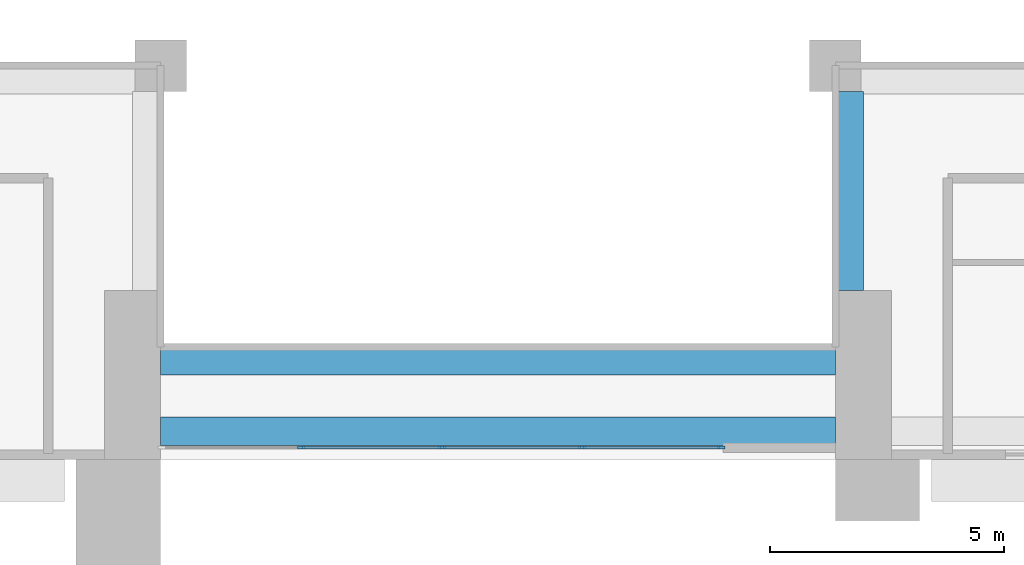
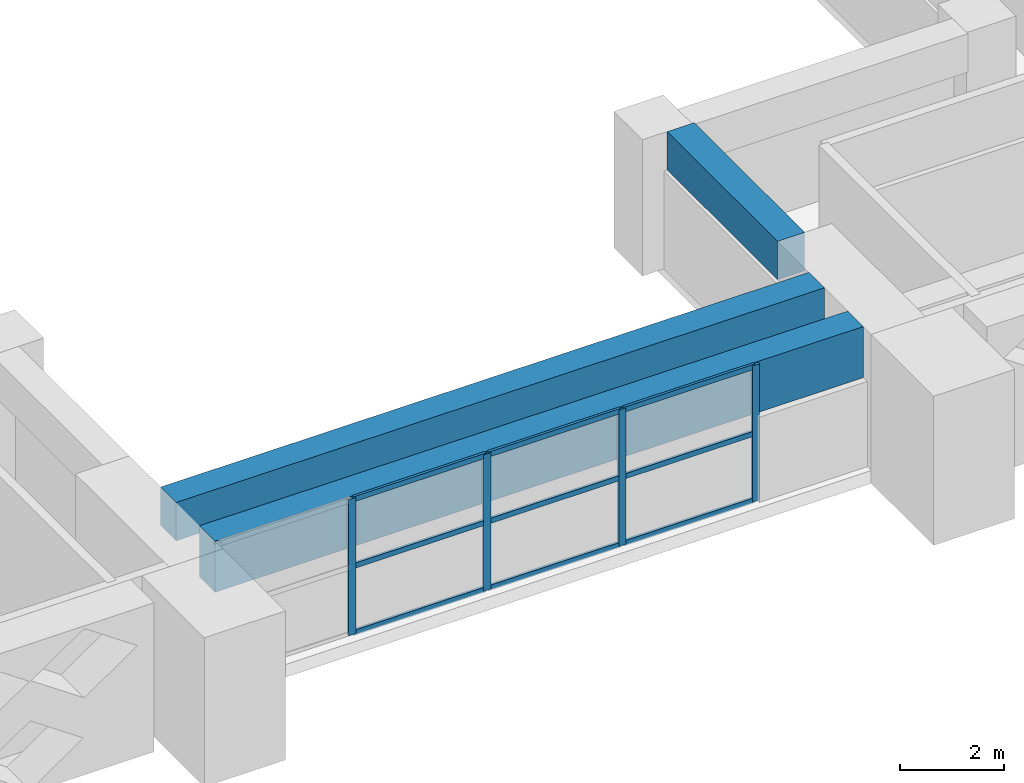
# One storey, part 4 of 20: 13 members, 3 beams, 1 element without a shape of its own.
"""IFC4 building model written with IfcOpenShell, lengths in metres."""

from ifc_helpers import new_model, si_unit, direction, frame, origin, origin_2d, place, context, subcontext, project, spatial, rectangle, extrude, source, transform, mapped, material, layer, layer_set, material_profile, profile_set, type_object, element, aggregate, save


model = new_model("IFC4")

# Units and contexts
model_context = context("Model", 3, precision=1e-05, world=origin(), true_north=direction((0.0, 1.0)))
body_context = subcontext(model_context, "Body", "Model", "MODEL_VIEW")
ifc_project = project(units=[si_unit("LENGTHUNIT", "METRE"), si_unit("AREAUNIT", "SQUARE_METRE"), si_unit("VOLUMEUNIT", "CUBIC_METRE"), si_unit("PLANEANGLEUNIT", "RADIAN"), si_unit("MASSUNIT", "GRAM", prefix="KILO")], contexts=[model_context])

# Site, building, storey
site_placement = place(None, origin())
site = spatial("IfcSite", under=ifc_project, at=site_placement, CompositionType="ELEMENT")
building_placement = place(site_placement, origin())
building = spatial("IfcBuilding", under=site, at=building_placement, Name="Saffron Iwan Residences", CompositionType="ELEMENT")
storey_placement = place(building_placement, frame((0.0, 0.0, 123.5)))
storey = spatial("IfcBuildingStorey", under=building, at=storey_placement, Name="L32", CompositionType="ELEMENT", Elevation=123.5)

# Beams
ifc_material_1 = material(Name="Concrete C50/60", Category="concrete")
ifc_material_profile_1 = material_profile(ifc_material_1, rectangle(XDim=0.60009765625, YDim=1.199951171875, at=origin_2d()), Name="RC 600x1200")
ifc_profile_set_1 = profile_set([ifc_material_profile_1], Name="Concrete C50/60")
beam_type_1 = type_object("IfcBeamType", Name="LINTEL BEAM RC 600x1200 C50/60 TOP 3200", PredefinedType="LINTEL", material=ifc_profile_set_1)
shared_shape_1 = source(origin(), body_context, "Body", "SweptSolid", [
    extrude(rectangle(XDim=0.60009765625, YDim=1.199951171875, at=origin_2d()), origin(), (0.0, 0.0, 1.0), 14.400146484375),
])
beam_1_placement = place(storey_placement, frame((57.60009765625, 40.199951171875, 2.60009765625), z_axis=(-1.0, 0.0, 0.0), x_axis=(0.0, -1.0, 0.0)))
element("IfcBeam", 1, at=beam_1_placement, inside=storey, type_object=beam_type_1, Name="Lintel beam over the iwan", PredefinedType="LINTEL", context=body_context, shape_type="MappedRepresentation", body=[
    mapped(shared_shape_1, transform((0.0, 0.0, 0.0))),
])
ifc_material_profile_2 = material_profile(ifc_material_1, rectangle(XDim=0.60009765625, YDim=0.89990234375, at=origin_2d()), Name="RC 600x900")
ifc_profile_set_2 = profile_set([ifc_material_profile_2], Name="Concrete C50/60")
beam_type_2 = type_object("IfcBeamType", Name="BEAM RC 600x900 C50/60 TOP 3200", PredefinedType="BEAM", material=ifc_profile_set_2)
shared_shape_2 = source(origin(), body_context, "Body", "SweptSolid", [
    extrude(rectangle(XDim=0.60009765625, YDim=0.89990234375, at=origin_2d()), origin(), (0.0, 0.0, 1.0), 14.400146484375),
])
beam_2_placement = place(storey_placement, frame((57.60009765625, 41.699951171875, 2.75), z_axis=(-1.0, 0.0, 0.0), x_axis=(0.0, -1.0, 0.0)))
element("IfcBeam", 2, at=beam_2_placement, inside=storey, type_object=beam_type_2, Name="Atrium edge beam", PredefinedType="BEAM", context=body_context, shape_type="MappedRepresentation", body=[
    mapped(shared_shape_2, transform((0.0, 0.0, 0.0))),
])
shared_shape_3 = source(origin(), body_context, "Body", "SweptSolid", [
    extrude(rectangle(XDim=0.60009765625, YDim=0.89990234375, at=origin_2d()), origin(), (0.0, 0.0, 1.0), 4.25),
])
beam_3_placement = place(storey_placement, frame((57.89990234375, 47.449951171875, 2.75), z_axis=(0.0, -1.0, 0.0), x_axis=(1.0, 0.0, 0.0)))
element("IfcBeam", 3, at=beam_3_placement, inside=storey, type_object=beam_type_2, Name="Atrium edge beam", PredefinedType="BEAM", context=body_context, shape_type="MappedRepresentation", body=[
    mapped(shared_shape_3, transform((0.0, 0.0, 0.0))),
])

# Curtain wall, members
ifc_material_2 = material(Name="Clear glass, laminated double glazed", Category="glass")
ifc_layer = layer(ifc_material_2, 0.199951171875)
ifc_layer_set = layer_set([ifc_layer], Name="Clear glass, laminated double glazed")
curtain_wall_type = type_object("IfcCurtainWallType", Name="CW-B IWAN PORTAL", PredefinedType="NOTDEFINED", material=ifc_layer_set)
curtain_wall_placement = place(storey_placement, origin())
curtain_wall = element("IfcCurtainWall", 4, at=curtain_wall_placement, inside=storey, type_object=curtain_wall_type, Name="Iwan portal glazing L32.1", PredefinedType="NOTDEFINED")
ifc_material_3 = material(Name="Aluminium 6063-T6", Category="aluminium")
ifc_material_profile_3 = material_profile(ifc_material_3, rectangle(XDim=0.06005859375, YDim=0.1201171875, at=origin_2d()), Name="CW-B TRANSOM 60 x 120")
ifc_profile_set_3 = profile_set([ifc_material_profile_3], Name="Aluminium 6063-T6")
member_type_1 = type_object("IfcMemberType", Name="CW-B TRANSOM 60 x 120", PredefinedType="USERDEFINED", material=ifc_profile_set_3)
shared_shape_4 = source(origin(), body_context, "Body", "SweptSolid", [
    extrude(rectangle(XDim=0.06005859375, YDim=0.1201171875, at=origin_2d()), origin(), (0.0, 0.0, 1.0), 2.909912109375),
])
member_1_placement = place(storey_placement, frame((52.22998046875, 39.85009765625, 0.030029296875), z_axis=(1.0, 0.0, 0.0), x_axis=(0.0, 1.0, 0.0)))
member_1 = element("IfcMember", 5, at=member_1_placement, type_object=member_type_1, Name="CW-B transom 4.1", ObjectType="TRANSOM", PredefinedType="USERDEFINED", context=body_context, shape_type="MappedRepresentation", body=[
    mapped(shared_shape_4, transform((0.0, 0.0, 0.0))),
])
member_2_placement = place(storey_placement, frame((52.22998046875, 39.85009765625, 1.60009765625), z_axis=(1.0, 0.0, 0.0), x_axis=(0.0, 1.0, 0.0)))
member_2 = element("IfcMember", 6, at=member_2_placement, type_object=member_type_1, Name="CW-B transom 4.2", ObjectType="TRANSOM", PredefinedType="USERDEFINED", context=body_context, shape_type="MappedRepresentation", body=[
    mapped(shared_shape_4, transform((0.0, 0.0, 0.0))),
])
member_3_placement = place(storey_placement, frame((52.22998046875, 39.85009765625, 3.169921875), z_axis=(1.0, 0.0, 0.0), x_axis=(0.0, 1.0, 0.0)))
member_3 = element("IfcMember", 7, at=member_3_placement, type_object=member_type_1, Name="CW-B transom 4.3", ObjectType="TRANSOM", PredefinedType="USERDEFINED", context=body_context, shape_type="MappedRepresentation", body=[
    mapped(shared_shape_4, transform((0.0, 0.0, 0.0))),
])
shared_shape_5 = source(origin(), body_context, "Body", "SweptSolid", [
    extrude(rectangle(XDim=0.06005859375, YDim=0.1201171875, at=origin_2d()), origin(), (0.0, 0.0, 1.0), 2.93994140625),
])
member_4_placement = place(storey_placement, frame((46.22998046875, 39.85009765625, 0.030029296875), z_axis=(1.0, 0.0, 0.0), x_axis=(0.0, 1.0, 0.0)))
member_4 = element("IfcMember", 8, at=member_4_placement, type_object=member_type_1, Name="CW-B transom 2.1", ObjectType="TRANSOM", PredefinedType="USERDEFINED", context=body_context, shape_type="MappedRepresentation", body=[
    mapped(shared_shape_5, transform((0.0, 0.0, 0.0))),
])
member_5_placement = place(storey_placement, frame((46.22998046875, 39.85009765625, 1.60009765625), z_axis=(1.0, 0.0, 0.0), x_axis=(0.0, 1.0, 0.0)))
member_5 = element("IfcMember", 9, at=member_5_placement, type_object=member_type_1, Name="CW-B transom 2.2", ObjectType="TRANSOM", PredefinedType="USERDEFINED", context=body_context, shape_type="MappedRepresentation", body=[
    mapped(shared_shape_5, transform((0.0, 0.0, 0.0))),
])
member_6_placement = place(storey_placement, frame((46.22998046875, 39.85009765625, 3.169921875), z_axis=(1.0, 0.0, 0.0), x_axis=(0.0, 1.0, 0.0)))
member_6 = element("IfcMember", 10, at=member_6_placement, type_object=member_type_1, Name="CW-B transom 2.3", ObjectType="TRANSOM", PredefinedType="USERDEFINED", context=body_context, shape_type="MappedRepresentation", body=[
    mapped(shared_shape_5, transform((0.0, 0.0, 0.0))),
])
member_7_placement = place(storey_placement, frame((49.22998046875, 39.85009765625, 0.030029296875), z_axis=(1.0, 0.0, 0.0), x_axis=(0.0, 1.0, 0.0)))
member_7 = element("IfcMember", 11, at=member_7_placement, type_object=member_type_1, Name="CW-B transom 3.1", ObjectType="TRANSOM", PredefinedType="USERDEFINED", context=body_context, shape_type="MappedRepresentation", body=[
    mapped(shared_shape_5, transform((0.0, 0.0, 0.0))),
])
member_8_placement = place(storey_placement, frame((49.22998046875, 39.85009765625, 1.60009765625), z_axis=(1.0, 0.0, 0.0), x_axis=(0.0, 1.0, 0.0)))
member_8 = element("IfcMember", 12, at=member_8_placement, type_object=member_type_1, Name="CW-B transom 3.2", ObjectType="TRANSOM", PredefinedType="USERDEFINED", context=body_context, shape_type="MappedRepresentation", body=[
    mapped(shared_shape_5, transform((0.0, 0.0, 0.0))),
])
member_9_placement = place(storey_placement, frame((49.22998046875, 39.85009765625, 3.169921875), z_axis=(1.0, 0.0, 0.0), x_axis=(0.0, 1.0, 0.0)))
member_9 = element("IfcMember", 13, at=member_9_placement, type_object=member_type_1, Name="CW-B transom 3.3", ObjectType="TRANSOM", PredefinedType="USERDEFINED", context=body_context, shape_type="MappedRepresentation", body=[
    mapped(shared_shape_5, transform((0.0, 0.0, 0.0))),
])
ifc_material_profile_4 = material_profile(ifc_material_3, rectangle(XDim=0.06005859375, YDim=0.159912109375, at=origin_2d()), Name="CW-B MULLION 60 x 160")
ifc_profile_set_4 = profile_set([ifc_material_profile_4], Name="Aluminium 6063-T6")
member_type_2 = type_object("IfcMemberType", Name="CW-B MULLION 60 x 160", PredefinedType="MULLION", material=ifc_profile_set_4)
shared_shape_6 = source(origin(), body_context, "Body", "SweptSolid", [
    extrude(rectangle(XDim=0.06005859375, YDim=0.159912109375, at=origin_2d()), origin(), (0.0, 0.0, 1.0), 3.199951171875),
])
member_10_placement = place(storey_placement, frame((46.199951171875, 39.85009765625, 0.0), z_axis=(0.0, 0.0, 1.0), x_axis=(0.0, 1.0, 0.0)))
member_10 = element("IfcMember", 14, at=member_10_placement, type_object=member_type_2, Name="CW-B mullion 2", PredefinedType="MULLION", context=body_context, shape_type="MappedRepresentation", body=[
    mapped(shared_shape_6, transform((0.0, 0.0, 0.0))),
])
member_11_placement = place(storey_placement, frame((49.199951171875, 39.85009765625, 0.0), z_axis=(0.0, 0.0, 1.0), x_axis=(0.0, 1.0, 0.0)))
member_11 = element("IfcMember", 15, at=member_11_placement, type_object=member_type_2, Name="CW-B mullion 3", PredefinedType="MULLION", context=body_context, shape_type="MappedRepresentation", body=[
    mapped(shared_shape_6, transform((0.0, 0.0, 0.0))),
])
member_12_placement = place(storey_placement, frame((52.199951171875, 39.85009765625, 0.0), z_axis=(0.0, 0.0, 1.0), x_axis=(0.0, 1.0, 0.0)))
member_12 = element("IfcMember", 16, at=member_12_placement, type_object=member_type_2, Name="CW-B mullion 4", PredefinedType="MULLION", context=body_context, shape_type="MappedRepresentation", body=[
    mapped(shared_shape_6, transform((0.0, 0.0, 0.0))),
])
member_13_placement = place(storey_placement, frame((55.169921875, 39.85009765625, 0.0), z_axis=(0.0, 0.0, 1.0), x_axis=(0.0, 1.0, 0.0)))
member_13 = element("IfcMember", 17, at=member_13_placement, type_object=member_type_2, Name="CW-B mullion 5", PredefinedType="MULLION", context=body_context, shape_type="MappedRepresentation", body=[
    mapped(shared_shape_6, transform((0.0, 0.0, 0.0))),
])
aggregate(curtain_wall, [member_10, member_11, member_12, member_13, member_4, member_5, member_6, member_7, member_8, member_9, member_1, member_2, member_3])

save(model, "model.ifc")
